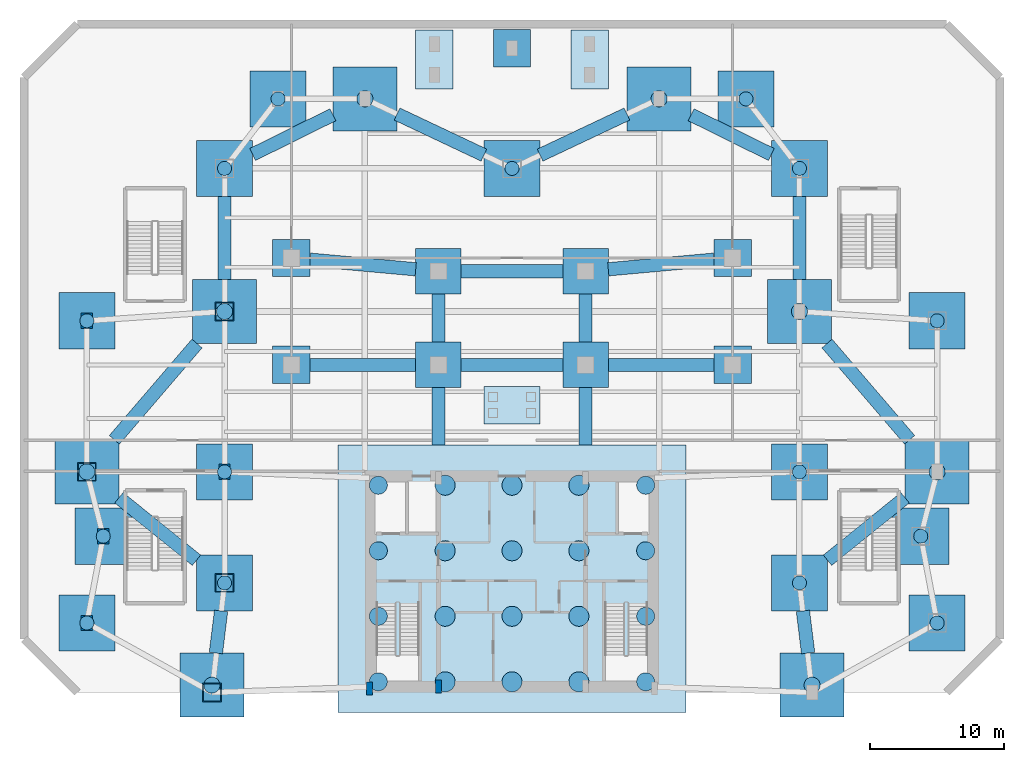
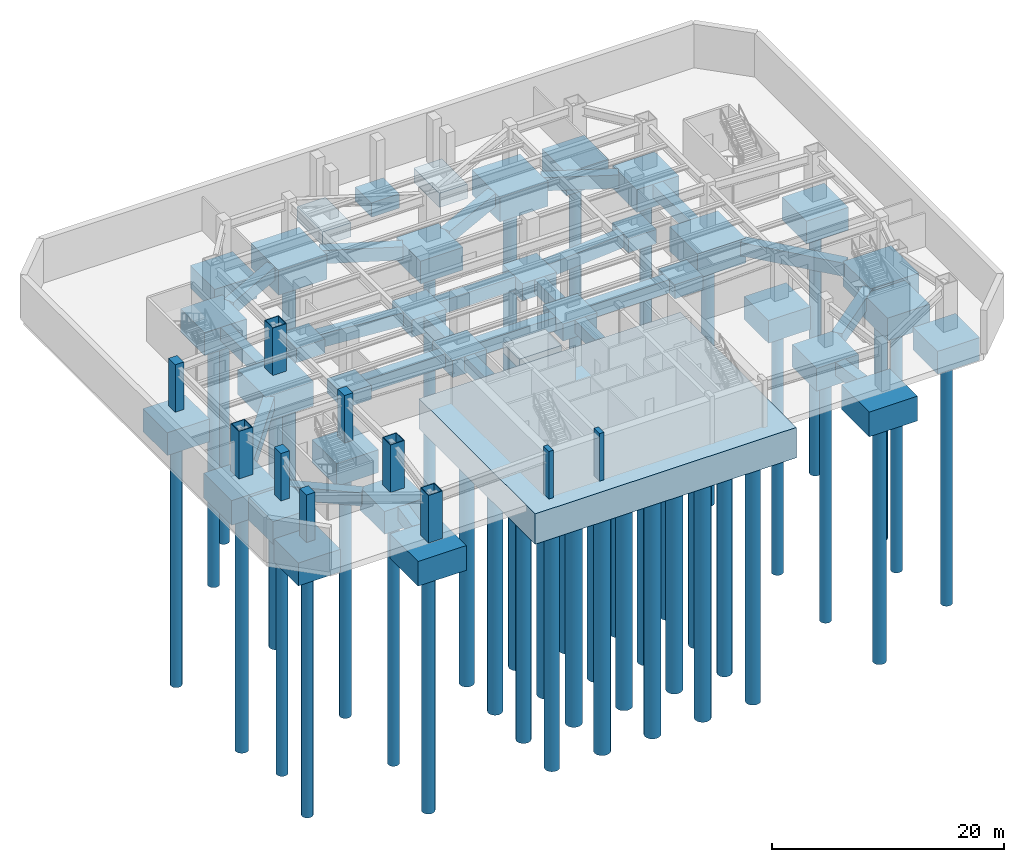
# One storey, part 1 of 7: 58 footings, 43 piles, 10 columns.
"""IFC4 building model written with IfcOpenShell, lengths in metres."""

from ifc_helpers import new_model, si_unit, direction, frame, origin, origin_2d, place, context, subcontext, project, spatial, polyline, rectangle, hollow_rectangle, circle, outline, extrude, source, transform, mapped, material, layer, layer_set, material_profile, profile_set, type_object, type_shapes, element, save


model = new_model("IFC4")

# Units and contexts
model_context = context("Model", 3, precision=1e-05, world=origin(), true_north=direction((0.0, 1.0)))
body_context = subcontext(model_context, "Body", "Model", "MODEL_VIEW")
ifc_project = project(units=[si_unit("LENGTHUNIT", "METRE"), si_unit("AREAUNIT", "SQUARE_METRE"), si_unit("VOLUMEUNIT", "CUBIC_METRE"), si_unit("PLANEANGLEUNIT", "RADIAN"), si_unit("MASSUNIT", "GRAM", prefix="KILO")], contexts=[model_context])

# Site, building, storey
site_placement = place(None, origin())
site = spatial("IfcSite", under=ifc_project, at=site_placement, CompositionType="ELEMENT")
building_placement = place(site_placement, origin())
building = spatial("IfcBuilding", under=site, at=building_placement, Name="Varnakhor Terracotta Tower", CompositionType="ELEMENT")
storey_placement = place(building_placement, frame((0.0, 0.0, -10.0)))
storey = spatial("IfcBuildingStorey", under=building, at=storey_placement, Name="B02", CompositionType="ELEMENT", Elevation=-10.0)

# Footing
ifc_material_1 = material(Name="Concrete C50/60", Category="concrete")
ifc_layer_1 = layer(ifc_material_1, 3.199951171875, Name="Concrete C50/60")
ifc_layer_set_1 = layer_set([ifc_layer_1], Name="Concrete C50/60")
footing_type_1 = type_object("IfcFootingType", Name="FTG-RAFT-CORE-3200", PredefinedType="PILE_CAP", material=ifc_layer_set_1)
footing_1_placement = place(storey_placement, frame((0.0, 0.0, -3.199951171875)))
element("IfcFooting", 1, at=footing_1_placement, inside=storey, type_object=footing_type_1, Name="Core Piled Raft Foundation", PredefinedType="PILE_CAP", context=body_context, shape_type="SweptSolid", body=[
    extrude(outline(polyline([(-13.0, -1.5), (13.0, -1.5), (13.0, 18.5), (-13.0, 18.5), (-13.0, -1.5)])), origin(), (0.0, 0.0, 1.0), 3.199951171875),
])

# Piles
ifc_material_2 = material(Name="Concrete C40/50", Category="concrete")
ifc_material_profile_1 = material_profile(ifc_material_2, circle(Radius=0.675048828125, at=origin_2d()), Name="BORED PILE D1350")
ifc_profile_set_1 = profile_set([ifc_material_profile_1], Name="Concrete C40/50")
pile_type_1 = type_object("IfcPileType", Name="PILE-BORED-1350", PredefinedType="BORED", material=ifc_profile_set_1)
shared_shape_1 = source(origin(), body_context, "Body", "SweptSolid", [
    extrude(circle(Radius=0.675048828125, at=origin_2d()), origin(), (0.0, 0.0, 1.0), 26.0),
])
type_shapes(pile_type_1, [shared_shape_1])
for number, where, z_axis, x_axis, name in (
    (2, (-10.0, 0.800048828125, -3.10009765625), (0.0, 0.0, -1.0), (1.0, 0.0, 0.0), "Core Raft Bored Pile 01"),
    (3, (-10.0, 5.699951171875, -3.10009765625), (0.0, 0.0, -1.0), (1.0, 0.0, 0.0), "Core Raft Bored Pile 02"),
    (4, (-10.0, 10.60009765625, -3.10009765625), (0.0, 0.0, -1.0), (1.0, 0.0, 0.0), "Core Raft Bored Pile 03"),
    (5, (-10.0, 15.5, -3.10009765625), (0.0, 0.0, -1.0), (1.0, 0.0, 0.0), "Core Raft Bored Pile 04"),
    (6, (10.0, 0.800048828125, -3.10009765625), (0.0, 0.0, -1.0), (1.0, 0.0, 0.0), "Core Raft Bored Pile 17"),
    (7, (10.0, 5.699951171875, -3.10009765625), (0.0, 0.0, -1.0), (1.0, 0.0, 0.0), "Core Raft Bored Pile 18"),
    (8, (10.0, 10.60009765625, -3.10009765625), (0.0, 0.0, -1.0), (1.0, 0.0, 0.0), "Core Raft Bored Pile 19"),
    (9, (10.0, 15.5, -3.10009765625), (0.0, 0.0, -1.0), (1.0, 0.0, 0.0), "Core Raft Bored Pile 20"),
):
    element("IfcPile", number, at=place(storey_placement, frame(where, z_axis=z_axis, x_axis=x_axis)), inside=storey, type_object=pile_type_1, Name=name, PredefinedType="BORED", context=body_context, shape_type="MappedRepresentation", body=[
        mapped(shared_shape_1, transform((0.0, 0.0, 0.0), scale=1.0)),
    ])
ifc_material_profile_2 = material_profile(ifc_material_2, circle(Radius=0.75, at=origin_2d()), Name="BORED PILE D1500")
ifc_profile_set_2 = profile_set([ifc_material_profile_2], Name="Concrete C40/50")
pile_type_2 = type_object("IfcPileType", Name="PILE-BORED-1500", PredefinedType="BORED", material=ifc_profile_set_2)
shared_shape_2 = source(origin(), body_context, "Body", "SweptSolid", [
    extrude(circle(Radius=0.75, at=origin_2d()), origin(), (0.0, 0.0, 1.0), 26.0),
])
type_shapes(pile_type_2, [shared_shape_2])
for number, where, z_axis, x_axis, name in (
    (10, (-5.0, 0.800048828125, -3.10009765625), (0.0, 0.0, -1.0), (1.0, 0.0, 0.0), "Core Raft Bored Pile 05"),
    (11, (-5.0, 5.699951171875, -3.10009765625), (0.0, 0.0, -1.0), (1.0, 0.0, 0.0), "Core Raft Bored Pile 06"),
    (12, (-5.0, 10.60009765625, -3.10009765625), (0.0, 0.0, -1.0), (1.0, 0.0, 0.0), "Core Raft Bored Pile 07"),
    (13, (-5.0, 15.5, -3.10009765625), (0.0, 0.0, -1.0), (1.0, 0.0, 0.0), "Core Raft Bored Pile 08"),
    (14, (0.0, 0.800048828125, -3.10009765625), (0.0, 0.0, -1.0), (1.0, 0.0, 0.0), "Core Raft Bored Pile 09"),
    (15, (0.0, 5.699951171875, -3.10009765625), (0.0, 0.0, -1.0), (1.0, 0.0, 0.0), "Core Raft Bored Pile 10"),
    (16, (0.0, 10.60009765625, -3.10009765625), (0.0, 0.0, -1.0), (1.0, 0.0, 0.0), "Core Raft Bored Pile 11"),
    (17, (0.0, 15.5, -3.10009765625), (0.0, 0.0, -1.0), (1.0, 0.0, 0.0), "Core Raft Bored Pile 12"),
    (18, (5.0, 0.800048828125, -3.10009765625), (0.0, 0.0, -1.0), (1.0, 0.0, 0.0), "Core Raft Bored Pile 13"),
    (19, (5.0, 5.699951171875, -3.10009765625), (0.0, 0.0, -1.0), (1.0, 0.0, 0.0), "Core Raft Bored Pile 14"),
    (20, (5.0, 10.60009765625, -3.10009765625), (0.0, 0.0, -1.0), (1.0, 0.0, 0.0), "Core Raft Bored Pile 15"),
    (21, (5.0, 15.5, -3.10009765625), (0.0, 0.0, -1.0), (1.0, 0.0, 0.0), "Core Raft Bored Pile 16"),
):
    element("IfcPile", number, at=place(storey_placement, frame(where, z_axis=z_axis, x_axis=x_axis)), inside=storey, type_object=pile_type_2, Name=name, PredefinedType="BORED", context=body_context, shape_type="MappedRepresentation", body=[
        mapped(shared_shape_2, transform((0.0, 0.0, 0.0), scale=1.0)),
    ])

# Footings
ifc_layer_2 = layer(ifc_material_2, 2.60009765625, Name="Concrete C40/50")
ifc_layer_set_2 = layer_set([ifc_layer_2], Name="Concrete C40/50")
footing_type_2 = type_object("IfcFootingType", Name="FTG-CAP-4800X4800", PredefinedType="PILE_CAP", material=ifc_layer_set_2)
shared_shape_3 = source(origin(), body_context, "Body", "SweptSolid", [
    extrude(rectangle(XDim=4.800048828125, YDim=4.800048828125, at=origin_2d()), origin(), (0.0, 0.0, 1.0), 2.60009765625),
])
type_shapes(footing_type_2, [shared_shape_3])
for number, where, z_axis, x_axis, name in (
    (22, (-22.446044921875, 0.550048828125, -3.25), (0.0, 0.0, 1.0), (1.0, 0.0, 0.0), "Pile Cap PC01"),
    (23, (22.446044921875, 0.550048828125, -3.25), (0.0, 0.0, 1.0), (1.0, 0.0, 0.0), "Pile Cap PC02"),
    (24, (-31.800048828125, 16.5, -3.25), (0.0, 0.0, 1.0), (1.0, 0.0, 0.0), "Pile Cap PC05"),
    (25, (31.800048828125, 16.5, -3.25), (0.0, 0.0, 1.0), (1.0, 0.0, 0.0), "Pile Cap PC06"),
    (26, (-21.5, 28.5, -3.25), (0.0, 0.0, 1.0), (1.0, 0.0, 0.0), "Pile Cap PC07"),
    (27, (21.5, 28.5, -3.25), (0.0, 0.0, 1.0), (1.0, 0.0, 0.0), "Pile Cap PC08"),
    (28, (-11.0, 44.39990234375, -3.25), (0.0, 0.0, 1.0), (1.0, 0.0, 0.0), "Pile Cap PC10"),
    (29, (11.0, 44.39990234375, -3.25), (0.0, 0.0, 1.0), (1.0, 0.0, 0.0), "Pile Cap PC12"),
):
    element("IfcFooting", number, at=place(storey_placement, frame(where, z_axis=z_axis, x_axis=x_axis)), inside=storey, type_object=footing_type_2, Name=name, PredefinedType="PILE_CAP", context=body_context, shape_type="MappedRepresentation", body=[
        mapped(shared_shape_3, transform((0.0, 0.0, 0.0), scale=1.0)),
    ])

# Piles
ifc_material_profile_3 = material_profile(ifc_material_2, circle(Radius=0.60009765625, at=origin_2d()), Name="BORED PILE D1200")
ifc_profile_set_3 = profile_set([ifc_material_profile_3], Name="Concrete C40/50")
pile_type_3 = type_object("IfcPileType", Name="PILE-BORED-1200", PredefinedType="BORED", material=ifc_profile_set_3)
shared_shape_4 = source(origin(), body_context, "Body", "SweptSolid", [
    extrude(circle(Radius=0.60009765625, at=origin_2d()), origin(), (0.0, 0.0, 1.0), 25.949951171875),
])
type_shapes(pile_type_3, [shared_shape_4])
for number, where, z_axis, x_axis, name in (
    (30, (-22.446044921875, 0.550048828125, -3.14990234375), (0.0, 0.0, -1.0), (1.0, 0.0, 0.0), "Cap PC01 Bored Pile"),
    (31, (22.446044921875, 0.550048828125, -3.14990234375), (0.0, 0.0, -1.0), (1.0, 0.0, 0.0), "Cap PC02 Bored Pile"),
    (32, (-31.800048828125, 16.5, -3.14990234375), (0.0, 0.0, -1.0), (1.0, 0.0, 0.0), "Cap PC05 Bored Pile"),
    (33, (31.800048828125, 16.5, -3.14990234375), (0.0, 0.0, -1.0), (1.0, 0.0, 0.0), "Cap PC06 Bored Pile"),
    (34, (-21.5, 28.5, -3.14990234375), (0.0, 0.0, -1.0), (1.0, 0.0, 0.0), "Cap PC07 Bored Pile"),
    (35, (21.5, 28.5, -3.14990234375), (0.0, 0.0, -1.0), (1.0, 0.0, 0.0), "Cap PC08 Bored Pile"),
    (36, (-11.0, 44.39990234375, -3.14990234375), (0.0, 0.0, -1.0), (1.0, 0.0, 0.0), "Cap PC10 Bored Pile"),
    (37, (11.0, 44.39990234375, -3.14990234375), (0.0, 0.0, -1.0), (1.0, 0.0, 0.0), "Cap PC12 Bored Pile"),
):
    element("IfcPile", number, at=place(storey_placement, frame(where, z_axis=z_axis, x_axis=x_axis)), inside=storey, type_object=pile_type_3, Name=name, PredefinedType="BORED", context=body_context, shape_type="MappedRepresentation", body=[
        mapped(shared_shape_4, transform((0.0, 0.0, 0.0), scale=1.0)),
    ])

# Footings
ifc_layer_3 = layer(ifc_material_2, 2.39990234375, Name="Concrete C40/50")
ifc_layer_set_3 = layer_set([ifc_layer_3], Name="Concrete C40/50")
footing_type_3 = type_object("IfcFootingType", Name="FTG-CAP-4200X4200", PredefinedType="PILE_CAP", material=ifc_layer_set_3)
shared_shape_5 = source(origin(), body_context, "Body", "SweptSolid", [
    extrude(rectangle(XDim=4.199951171875, YDim=4.199951171875, at=origin_2d()), origin(), (0.0, 0.0, 1.0), 2.39990234375),
])
type_shapes(footing_type_3, [shared_shape_5])
for number, where, z_axis, x_axis, name in (
    (38, (-21.5, 8.199951171875, -3.050048828125), (0.0, 0.0, 1.0), (1.0, 0.0, 0.0), "Pile Cap PC03"),
    (39, (21.5, 8.199951171875, -3.050048828125), (0.0, 0.0, 1.0), (1.0, 0.0, 0.0), "Pile Cap PC04"),
    (40, (-21.5, 39.199951171875, -3.050048828125), (0.0, 0.0, 1.0), (1.0, 0.0, 0.0), "Pile Cap PC09"),
    (41, (0.0, 39.199951171875, -3.050048828125), (0.0, 0.0, 1.0), (1.0, 0.0, 0.0), "Pile Cap PC11"),
    (42, (21.5, 39.199951171875, -3.050048828125), (0.0, 0.0, 1.0), (1.0, 0.0, 0.0), "Pile Cap PC13"),
    (43, (-21.5, 16.5, -3.050048828125), (0.0, 0.0, 1.0), (1.0, 0.0, 0.0), "Pile Cap PC14"),
    (44, (21.5, 16.5, -3.050048828125), (0.0, 0.0, 1.0), (1.0, 0.0, 0.0), "Pile Cap PC15"),
    (45, (-31.800048828125, 5.199951171875, -3.050048828125), (0.0, 0.0, 1.0), (1.0, 0.0, 0.0), "Pile Cap PC16"),
    (46, (31.800048828125, 5.199951171875, -3.050048828125), (0.0, 0.0, 1.0), (1.0, 0.0, 0.0), "Pile Cap PC17"),
    (47, (-31.800048828125, 27.800048828125, -3.050048828125), (0.0, 0.0, 1.0), (1.0, 0.0, 0.0), "Pile Cap PC18"),
    (48, (31.800048828125, 27.800048828125, -3.050048828125), (0.0, 0.0, 1.0), (1.0, 0.0, 0.0), "Pile Cap PC19"),
    (49, (-17.5, 44.39990234375, -3.050048828125), (0.0, 0.0, 1.0), (1.0, 0.0, 0.0), "Pile Cap PC20"),
    (50, (17.5, 44.39990234375, -3.050048828125), (0.0, 0.0, 1.0), (1.0, 0.0, 0.0), "Pile Cap PC21"),
):
    element("IfcFooting", number, at=place(storey_placement, frame(where, z_axis=z_axis, x_axis=x_axis)), inside=storey, type_object=footing_type_3, Name=name, PredefinedType="PILE_CAP", context=body_context, shape_type="MappedRepresentation", body=[
        mapped(shared_shape_5, transform((0.0, 0.0, 0.0), scale=1.0)),
    ])

# Piles
ifc_material_profile_4 = material_profile(ifc_material_2, circle(Radius=0.52490234375, at=origin_2d()), Name="BORED PILE D1050")
ifc_profile_set_4 = profile_set([ifc_material_profile_4], Name="Concrete C40/50")
pile_type_4 = type_object("IfcPileType", Name="PILE-BORED-1050", PredefinedType="BORED", material=ifc_profile_set_4)
shared_shape_6 = source(origin(), body_context, "Body", "SweptSolid", [
    extrude(circle(Radius=0.52490234375, at=origin_2d()), origin(), (0.0, 0.0, 1.0), 26.14990234375),
])
type_shapes(pile_type_4, [shared_shape_6])
for number, where, z_axis, x_axis, name in (
    (51, (-21.5, 8.199951171875, -2.949951171875), (0.0, 0.0, -1.0), (1.0, 0.0, 0.0), "Cap PC03 Bored Pile"),
    (52, (21.5, 8.199951171875, -2.949951171875), (0.0, 0.0, -1.0), (1.0, 0.0, 0.0), "Cap PC04 Bored Pile"),
    (53, (-21.5, 39.199951171875, -2.949951171875), (0.0, 0.0, -1.0), (1.0, 0.0, 0.0), "Cap PC09 Bored Pile"),
    (54, (0.0, 39.199951171875, -2.949951171875), (0.0, 0.0, -1.0), (1.0, 0.0, 0.0), "Cap PC11 Bored Pile"),
    (55, (21.5, 39.199951171875, -2.949951171875), (0.0, 0.0, -1.0), (1.0, 0.0, 0.0), "Cap PC13 Bored Pile"),
    (56, (-21.5, 16.5, -2.949951171875), (0.0, 0.0, -1.0), (1.0, 0.0, 0.0), "Cap PC14 Bored Pile"),
    (57, (21.5, 16.5, -2.949951171875), (0.0, 0.0, -1.0), (1.0, 0.0, 0.0), "Cap PC15 Bored Pile"),
    (58, (-31.800048828125, 5.199951171875, -2.949951171875), (0.0, 0.0, -1.0), (1.0, 0.0, 0.0), "Cap PC16 Bored Pile"),
    (59, (31.800048828125, 5.199951171875, -2.949951171875), (0.0, 0.0, -1.0), (1.0, 0.0, 0.0), "Cap PC17 Bored Pile"),
    (60, (-31.800048828125, 27.800048828125, -2.949951171875), (0.0, 0.0, -1.0), (1.0, 0.0, 0.0), "Cap PC18 Bored Pile"),
    (61, (31.800048828125, 27.800048828125, -2.949951171875), (0.0, 0.0, -1.0), (1.0, 0.0, 0.0), "Cap PC19 Bored Pile"),
    (62, (-17.5, 44.39990234375, -2.949951171875), (0.0, 0.0, -1.0), (1.0, 0.0, 0.0), "Cap PC20 Bored Pile"),
    (63, (17.5, 44.39990234375, -2.949951171875), (0.0, 0.0, -1.0), (1.0, 0.0, 0.0), "Cap PC21 Bored Pile"),
    (64, (-30.572998046875, 11.68701171875, -2.949951171875), (0.0, 0.0, -1.0), (1.0, 0.0, 0.0), "Cap PC22 Bored Pile"),
    (65, (30.572998046875, 11.68701171875, -2.949951171875), (0.0, 0.0, -1.0), (1.0, 0.0, 0.0), "Cap PC23 Bored Pile"),
):
    element("IfcPile", number, at=place(storey_placement, frame(where, z_axis=z_axis, x_axis=x_axis)), inside=storey, type_object=pile_type_4, Name=name, PredefinedType="BORED", context=body_context, shape_type="MappedRepresentation", body=[
        mapped(shared_shape_6, transform((0.0, 0.0, 0.0), scale=1.0)),
    ])

# Footings
ifc_layer_4 = layer(ifc_material_2, 1.800048828125, Name="Concrete C40/50")
ifc_layer_set_4 = layer_set([ifc_layer_4], Name="Concrete C40/50")
footing_type_4 = type_object("IfcFootingType", Name="FTG-PAD-3400X3400", PredefinedType="PAD_FOOTING", material=ifc_layer_set_4)
shared_shape_7 = source(origin(), body_context, "Body", "SweptSolid", [
    extrude(rectangle(XDim=4.199951171875, YDim=4.199951171875, at=origin_2d()), origin(), (0.0, 0.0, 1.0), 2.39990234375),
])
type_shapes(footing_type_4, [shared_shape_7])
for number, where, z_axis, x_axis, name in (
    (66, (-30.572998046875, 11.68701171875, -3.050048828125), (0.0, 0.0, 1.0), (1.0, 0.0, 0.0), "Pile Cap PC22"),
    (67, (30.572998046875, 11.68701171875, -3.050048828125), (0.0, 0.0, 1.0), (1.0, 0.0, 0.0), "Pile Cap PC23"),
):
    element("IfcFooting", number, at=place(storey_placement, frame(where, z_axis=z_axis, x_axis=x_axis)), inside=storey, type_object=footing_type_4, Name=name, PredefinedType="PAD_FOOTING", context=body_context, shape_type="MappedRepresentation", body=[
        mapped(shared_shape_7, transform((0.0, 0.0, 0.0), scale=1.0)),
    ])
shared_shape_8 = source(origin(), body_context, "Body", "SweptSolid", [
    extrude(rectangle(XDim=4.199951171875, YDim=2.800048828125, at=origin_2d()), origin(), (0.0, 0.0, 1.0), 1.0),
])
footing_2_placement = place(storey_placement, frame((0.0, 21.5, -1.64990234375), z_axis=(0.0, 0.0, 1.0), x_axis=(1.0, 0.0, 0.0)))
element("IfcFooting", 68, at=footing_2_placement, inside=storey, type_object=footing_type_4, Name="Feature Stair ST-F1 Landing Pad Footing", PredefinedType="PAD_FOOTING", context=body_context, shape_type="MappedRepresentation", body=[
    mapped(shared_shape_8, transform((0.0, 0.0, 0.0), scale=1.0)),
])
ifc_layer_5 = layer(ifc_material_2, 1.5, Name="Concrete C40/50")
ifc_layer_set_5 = layer_set([ifc_layer_5], Name="Concrete C40/50")
footing_type_5 = type_object("IfcFootingType", Name="FTG-PAD-2800X2800", PredefinedType="PAD_FOOTING", material=ifc_layer_set_5)
shared_shape_9 = source(origin(), body_context, "Body", "SweptSolid", [
    extrude(rectangle(XDim=2.800048828125, YDim=4.39990234375, at=origin_2d()), origin(), (0.0, 0.0, 1.0), 1.5),
])
type_shapes(footing_type_5, [shared_shape_9])
for number, where, z_axis, x_axis, name in (
    (69, (-5.800048828125, 47.35009765625, -2.14990234375), (0.0, 0.0, 1.0), (1.0, 0.0, 0.0), "North Terrace Column Pad Footing 1"),
    (70, (5.800048828125, 47.35009765625, -2.14990234375), (0.0, 0.0, 1.0), (1.0, 0.0, 0.0), "North Terrace Column Pad Footing 2"),
):
    element("IfcFooting", number, at=place(storey_placement, frame(where, z_axis=z_axis, x_axis=x_axis)), inside=storey, type_object=footing_type_5, Name=name, PredefinedType="PAD_FOOTING", context=body_context, shape_type="MappedRepresentation", body=[
        mapped(shared_shape_9, transform((0.0, 0.0, 0.0), scale=1.0)),
    ])
shared_shape_10 = source(origin(), body_context, "Body", "SweptSolid", [
    extrude(rectangle(XDim=2.800048828125, YDim=2.800048828125, at=origin_2d()), origin(), (0.0, 0.0, 1.0), 1.5),
])
for number, where, z_axis, x_axis, name in (
    (71, (0.0, 48.199951171875, -2.14990234375), (0.0, 0.0, 1.0), (1.0, 0.0, 0.0), "North Terrace Column Pad Footing 3"),
    (72, (-16.5, 24.5, -2.14990234375), (0.0, 0.0, 1.0), (1.0, 0.0, 0.0), "Pad Footing BC05"),
    (73, (16.5, 24.5, -2.14990234375), (0.0, 0.0, 1.0), (1.0, 0.0, 0.0), "Pad Footing BC06"),
    (74, (-16.5, 32.5, -2.14990234375), (0.0, 0.0, 1.0), (1.0, 0.0, 0.0), "Pad Footing BC07"),
    (75, (16.5, 32.5, -2.14990234375), (0.0, 0.0, 1.0), (1.0, 0.0, 0.0), "Pad Footing BC08"),
):
    element("IfcFooting", number, at=place(storey_placement, frame(where, z_axis=z_axis, x_axis=x_axis)), inside=storey, type_object=footing_type_5, Name=name, PredefinedType="PAD_FOOTING", context=body_context, shape_type="MappedRepresentation", body=[
        mapped(shared_shape_10, transform((0.0, 0.0, 0.0), scale=1.0)),
    ])
shared_shape_11 = source(origin(), body_context, "Body", "SweptSolid", [
    extrude(rectangle(XDim=3.39990234375, YDim=3.39990234375, at=origin_2d()), origin(), (0.0, 0.0, 1.0), 1.800048828125),
])
for number, where, z_axis, x_axis, name in (
    (76, (-5.5, 24.5, -2.4501953125), (0.0, 0.0, 1.0), (1.0, 0.0, 0.0), "Pad Footing BC01"),
    (77, (5.5, 24.5, -2.4501953125), (0.0, 0.0, 1.0), (1.0, 0.0, 0.0), "Pad Footing BC02"),
    (78, (-5.5, 31.5, -2.4501953125), (0.0, 0.0, 1.0), (1.0, 0.0, 0.0), "Pad Footing BC03"),
    (79, (5.5, 31.5, -2.4501953125), (0.0, 0.0, 1.0), (1.0, 0.0, 0.0), "Pad Footing BC04"),
):
    element("IfcFooting", number, at=place(storey_placement, frame(where, z_axis=z_axis, x_axis=x_axis)), inside=storey, type_object=footing_type_4, Name=name, PredefinedType="PAD_FOOTING", context=body_context, shape_type="MappedRepresentation", body=[
        mapped(shared_shape_11, transform((0.0, 0.0, 0.0), scale=1.0)),
    ])
ifc_material_profile_5 = material_profile(ifc_material_2, rectangle(XDim=1.0, YDim=1.39990234375, at=origin_2d()), Name="TIE BEAM 1000x1400")
ifc_profile_set_5 = profile_set([ifc_material_profile_5], Name="Concrete C40/50")
footing_type_6 = type_object("IfcFootingType", Name="FTG-BEAM-1000X1400", PredefinedType="FOOTING_BEAM", material=ifc_profile_set_5)
shared_shape_12 = source(origin(), body_context, "Body", "SweptSolid", [
    extrude(rectangle(XDim=1.0, YDim=1.39990234375, at=origin_2d()), origin(), (0.0, 0.0, 1.0), 3.174072265625),
])
type_shapes(footing_type_6, [shared_shape_12])
for number, where, z_axis, x_axis, name in (
    (80, (-22.149169921875, 2.949951171875, -1.35009765625), (0.122680898899, 0.992446168336, 0.0), (-0.992446168336, 0.122680898899, 0.0), "Foundation Tie Beam 01"),
    (81, (22.149169921875, 2.949951171875, -1.35009765625), (-0.122680898899, 0.992446168336, 0.0), (-0.992446168336, -0.122680898899, 0.0), "Foundation Tie Beam 09"),
):
    element("IfcFooting", number, at=place(storey_placement, frame(where, z_axis=z_axis, x_axis=x_axis)), inside=storey, type_object=footing_type_6, Name=name, PredefinedType="FOOTING_BEAM", context=body_context, shape_type="MappedRepresentation", body=[
        mapped(shared_shape_12, transform((0.0, 0.0, 0.0), scale=1.0)),
    ])
shared_shape_13 = source(origin(), body_context, "Body", "SweptSolid", [
    extrude(rectangle(XDim=1.0, YDim=1.39990234375, at=origin_2d()), origin(), (0.0, 0.0, 1.0), 7.44873046875),
])
for number, where, z_axis, x_axis, name in (
    (82, (-23.60009765625, 9.89208984375, -1.35009765625), (-0.778638250217, 0.627473087311, 0.0), (-0.627473087311, -0.778638250217, 0.0), "Foundation Tie Beam 02"),
    (83, (23.60009765625, 9.89208984375, -1.35009765625), (0.778638250217, 0.627473087311, 0.0), (-0.627473087311, 0.778638250217, 0.0), "Foundation Tie Beam 10"),
):
    element("IfcFooting", number, at=place(storey_placement, frame(where, z_axis=z_axis, x_axis=x_axis)), inside=storey, type_object=footing_type_6, Name=name, PredefinedType="FOOTING_BEAM", context=body_context, shape_type="MappedRepresentation", body=[
        mapped(shared_shape_13, transform((0.0, 0.0, 0.0), scale=1.0)),
    ])
shared_shape_14 = source(origin(), body_context, "Body", "SweptSolid", [
    extrude(rectangle(XDim=1.0, YDim=1.39990234375, at=origin_2d()), origin(), (0.0, 0.0, 1.0), 9.488525390625),
])
for number, where, z_axis, x_axis, name in (
    (84, (-29.739990234375, 18.89990234375, -1.35009765625), (0.651297651093, 0.75882235713, 0.0), (-0.75882235713, 0.651297651093, 0.0), "Foundation Tie Beam 03"),
    (85, (29.739990234375, 18.89990234375, -1.35009765625), (-0.651297651093, 0.75882235713, 0.0), (-0.75882235713, -0.651297651093, 0.0), "Foundation Tie Beam 11"),
):
    element("IfcFooting", number, at=place(storey_placement, frame(where, z_axis=z_axis, x_axis=x_axis)), inside=storey, type_object=footing_type_6, Name=name, PredefinedType="FOOTING_BEAM", context=body_context, shape_type="MappedRepresentation", body=[
        mapped(shared_shape_14, transform((0.0, 0.0, 0.0), scale=1.0)),
    ])
shared_shape_15 = source(origin(), body_context, "Body", "SweptSolid", [
    extrude(rectangle(XDim=1.0, YDim=1.39990234375, at=origin_2d()), origin(), (0.0, 0.0, 1.0), 6.2001953125),
])
for number, where, z_axis, x_axis, name in (
    (86, (-21.5, 30.89990234375, -1.35009765625), (0.0, 1.0, 0.0), (-1.0, 0.0, 0.0), "Foundation Tie Beam 04"),
    (87, (21.5, 30.89990234375, -1.35009765625), (0.0, 1.0, 0.0), (-1.0, 0.0, 0.0), "Foundation Tie Beam 12"),
):
    element("IfcFooting", number, at=place(storey_placement, frame(where, z_axis=z_axis, x_axis=x_axis)), inside=storey, type_object=footing_type_6, Name=name, PredefinedType="FOOTING_BEAM", context=body_context, shape_type="MappedRepresentation", body=[
        mapped(shared_shape_15, transform((0.0, 0.0, 0.0), scale=1.0)),
    ])
shared_shape_16 = source(origin(), body_context, "Body", "SweptSolid", [
    extrude(rectangle(XDim=1.0, YDim=1.39990234375, at=origin_2d()), origin(), (0.0, 0.0, 1.0), 6.695556640625),
])
for number, where, z_axis, x_axis, name in (
    (88, (-19.39990234375, 40.239990234375, -1.35009765625), (0.89612717146, 0.4437973553, 0.0), (-0.4437973553, 0.89612717146, 0.0), "Foundation Tie Beam 05"),
    (89, (13.39990234375, 43.21142578125, -1.35009765625), (0.89612717146, -0.4437973553, 0.0), (0.4437973553, 0.89612717146, 0.0), "Foundation Tie Beam 08"),
):
    element("IfcFooting", number, at=place(storey_placement, frame(where, z_axis=z_axis, x_axis=x_axis)), inside=storey, type_object=footing_type_6, Name=name, PredefinedType="FOOTING_BEAM", context=body_context, shape_type="MappedRepresentation", body=[
        mapped(shared_shape_16, transform((0.0, 0.0, 0.0), scale=1.0)),
    ])
shared_shape_17 = source(origin(), body_context, "Body", "SweptSolid", [
    extrude(rectangle(XDim=1.0, YDim=1.39990234375, at=origin_2d()), origin(), (0.0, 0.0, 1.0), 7.189697265625),
])
for number, where, z_axis, x_axis, name in (
    (90, (-8.60009765625, 43.265380859375, -1.35009765625), (0.904070835187, -0.427382644669, 0.0), (0.427382644669, 0.904070835187, 0.0), "Foundation Tie Beam 06"),
    (91, (2.10009765625, 40.192626953125, -1.35009765625), (0.904070835187, 0.427382644669, 0.0), (-0.427382644669, 0.904070835187, 0.0), "Foundation Tie Beam 07"),
):
    element("IfcFooting", number, at=place(storey_placement, frame(where, z_axis=z_axis, x_axis=x_axis)), inside=storey, type_object=footing_type_6, Name=name, PredefinedType="FOOTING_BEAM", context=body_context, shape_type="MappedRepresentation", body=[
        mapped(shared_shape_17, transform((0.0, 0.0, 0.0), scale=1.0)),
    ])
shared_shape_18 = source(origin(), body_context, "Body", "SweptSolid", [
    extrude(rectangle(XDim=1.0, YDim=1.39990234375, at=origin_2d()), origin(), (0.0, 0.0, 1.0), 7.60009765625),
])
for number, where, z_axis, x_axis, name in (
    (92, (-3.800048828125, 24.5, -1.35009765625), (1.0, 0.0, 0.0), (0.0, 1.0, 0.0), "Foundation Tie Beam 13"),
    (93, (-3.800048828125, 31.5, -1.35009765625), (1.0, 0.0, 0.0), (0.0, 1.0, 0.0), "Foundation Tie Beam 14"),
):
    element("IfcFooting", number, at=place(storey_placement, frame(where, z_axis=z_axis, x_axis=x_axis)), inside=storey, type_object=footing_type_6, Name=name, PredefinedType="FOOTING_BEAM", context=body_context, shape_type="MappedRepresentation", body=[
        mapped(shared_shape_18, transform((0.0, 0.0, 0.0), scale=1.0)),
    ])
shared_shape_19 = source(origin(), body_context, "Body", "SweptSolid", [
    extrude(rectangle(XDim=1.0, YDim=1.39990234375, at=origin_2d()), origin(), (0.0, 0.0, 1.0), 3.60009765625),
])
for number, where, z_axis, x_axis, name in (
    (94, (-5.5, 26.199951171875, -1.35009765625), (0.0, 1.0, 0.0), (-1.0, 0.0, 0.0), "Foundation Tie Beam 15"),
    (95, (5.5, 26.199951171875, -1.35009765625), (0.0, 1.0, 0.0), (-1.0, 0.0, 0.0), "Foundation Tie Beam 16"),
):
    element("IfcFooting", number, at=place(storey_placement, frame(where, z_axis=z_axis, x_axis=x_axis)), inside=storey, type_object=footing_type_6, Name=name, PredefinedType="FOOTING_BEAM", context=body_context, shape_type="MappedRepresentation", body=[
        mapped(shared_shape_19, transform((0.0, 0.0, 0.0), scale=1.0)),
    ])
shared_shape_20 = source(origin(), body_context, "Body", "SweptSolid", [
    extrude(rectangle(XDim=1.0, YDim=1.39990234375, at=origin_2d()), origin(), (0.0, 0.0, 1.0), 7.900146484375),
])
for number, where, z_axis, x_axis, name in (
    (96, (-15.10009765625, 24.5, -1.35009765625), (1.0, 0.0, 0.0), (0.0, 1.0, 0.0), "Foundation Tie Beam 17"),
    (97, (7.199951171875, 24.5, -1.35009765625), (1.0, 0.0, 0.0), (0.0, 1.0, 0.0), "Foundation Tie Beam 18"),
):
    element("IfcFooting", number, at=place(storey_placement, frame(where, z_axis=z_axis, x_axis=x_axis)), inside=storey, type_object=footing_type_6, Name=name, PredefinedType="FOOTING_BEAM", context=body_context, shape_type="MappedRepresentation", body=[
        mapped(shared_shape_20, transform((0.0, 0.0, 0.0), scale=1.0)),
    ])
shared_shape_21 = source(origin(), body_context, "Body", "SweptSolid", [
    extrude(rectangle(XDim=1.0, YDim=1.39990234375, at=origin_2d()), origin(), (0.0, 0.0, 1.0), 7.9326171875),
])
for number, where, z_axis, x_axis, name in (
    (98, (-15.10009765625, 32.372802734375, -1.35009765625), (0.995892449637, -0.090544070794, 0.0), (0.090544070794, 0.995892449637, 0.0), "Foundation Tie Beam 19"),
    (99, (7.199951171875, 31.654541015625, -1.35009765625), (0.995892449637, 0.090544070794, 0.0), (-0.090544070794, 0.995892449637, 0.0), "Foundation Tie Beam 20"),
):
    element("IfcFooting", number, at=place(storey_placement, frame(where, z_axis=z_axis, x_axis=x_axis)), inside=storey, type_object=footing_type_6, Name=name, PredefinedType="FOOTING_BEAM", context=body_context, shape_type="MappedRepresentation", body=[
        mapped(shared_shape_21, transform((0.0, 0.0, 0.0), scale=1.0)),
    ])
shared_shape_22 = source(origin(), body_context, "Body", "SweptSolid", [
    extrude(rectangle(XDim=1.0, YDim=1.39990234375, at=origin_2d()), origin(), (0.0, 0.0, 1.0), 4.300048828125),
])
for number, where, z_axis, x_axis, name in (
    (100, (-5.5, 18.5, -1.35009765625), (0.0, 1.0, 0.0), (-1.0, 0.0, 0.0), "Foundation Core Tie Beam 25"),
    (101, (5.5, 18.5, -1.35009765625), (0.0, 1.0, 0.0), (-1.0, 0.0, 0.0), "Foundation Core Tie Beam 26"),
):
    element("IfcFooting", number, at=place(storey_placement, frame(where, z_axis=z_axis, x_axis=x_axis)), inside=storey, type_object=footing_type_6, Name=name, PredefinedType="FOOTING_BEAM", context=body_context, shape_type="MappedRepresentation", body=[
        mapped(shared_shape_22, transform((0.0, 0.0, 0.0), scale=1.0)),
    ])

# Columns
ifc_material_profile_6 = material_profile(ifc_material_1, rectangle(XDim=0.449951171875, YDim=0.949951171875, at=origin_2d()), Name="RC PILASTER 950x450")
ifc_profile_set_6 = profile_set([ifc_material_profile_6], Name="Concrete C50/60")
column_type_1 = type_object("IfcColumnType", Name="COL-PIL-950x450", PredefinedType="PILASTER", material=ifc_profile_set_6)
shared_shape_23 = source(origin(), body_context, "Body", "SweptSolid", [
    extrude(rectangle(XDim=0.449951171875, YDim=0.949951171875, at=origin_2d()), origin(), (0.0, 0.0, 1.0), 5.0),
])
type_shapes(column_type_1, [shared_shape_23])
for number, where, z_axis, x_axis, name in (
    (102, (-10.64990234375, 0.300048828125, 0.0), (0.0, 0.0, 1.0), (1.0, 0.0, 0.0), "B02 Core Pilaster CP1"),
    (103, (-5.5, 0.449951171875, 0.0), (0.0, 0.0, 1.0), (1.0, 0.0, 0.0), "B02 Core Pilaster CP2"),
):
    element("IfcColumn", number, at=place(storey_placement, frame(where, z_axis=z_axis, x_axis=x_axis)), inside=storey, type_object=column_type_1, Name=name, PredefinedType="PILASTER", context=body_context, shape_type="MappedRepresentation", body=[
        mapped(shared_shape_23, transform((0.0, 0.0, 0.0), scale=1.0)),
    ])
ifc_material_3 = material(Name="Concrete C60/75", Category="concrete")
ifc_material_profile_7 = material_profile(ifc_material_3, rectangle(XDim=0.85009765625, YDim=1.14990234375, at=origin_2d()), Name="RC 1150x850")
ifc_profile_set_7 = profile_set([ifc_material_profile_7], Name="Concrete C60/75")
column_type_2 = type_object("IfcColumnType", Name="COL-RC-1150x850", PredefinedType="COLUMN", material=ifc_profile_set_7)
shared_shape_24 = source(origin(), body_context, "Body", "SweptSolid", [
    extrude(rectangle(XDim=0.85009765625, YDim=1.14990234375, at=origin_2d()), origin(), (0.0, 0.0, 1.0), 5.0),
])
type_shapes(column_type_2, [shared_shape_24])
for number, where, z_axis, x_axis, name in (
    (104, (-21.5, 16.5, 0.0), (0.0, 0.0, 1.0), (1.0, 0.0, 0.0), "B02 Podium Column PC14"),
    (105, (-31.800048828125, 5.199951171875, 0.0), (0.0, 0.0, 1.0), (1.0, 0.0, 0.0), "B02 Podium Column PC16"),
    (106, (-31.800048828125, 27.800048828125, 0.0), (0.0, 0.0, 1.0), (1.0, 0.0, 0.0), "B02 Podium Column PC18"),
    (107, (-30.572998046875, 11.68701171875, 0.0), (0.0, 0.0, 1.0), (1.0, 0.0, 0.0), "B02 Podium Column PC22"),
):
    element("IfcColumn", number, at=place(storey_placement, frame(where, z_axis=z_axis, x_axis=x_axis)), inside=storey, type_object=column_type_2, Name=name, PredefinedType="COLUMN", context=body_context, shape_type="MappedRepresentation", body=[
        mapped(shared_shape_24, transform((0.0, 0.0, 0.0), scale=1.0)),
    ])
ifc_material_4 = material(Name="Steel S460", Category="steel")
ifc_material_profile_8 = material_profile(ifc_material_4, hollow_rectangle(XDim=1.39990234375, YDim=1.39990234375, WallThickness=0.070068359375, at=origin_2d()), Name="BOX 1400x1400x70")
ifc_profile_set_8 = profile_set([ifc_material_profile_8], Name="Steel S460")
column_type_3 = type_object("IfcColumnType", Name="COL-MEGA-1400", PredefinedType="COLUMN", material=ifc_profile_set_8)
shared_shape_25 = source(origin(), body_context, "Body", "SweptSolid", [
    extrude(hollow_rectangle(XDim=1.39990234375, YDim=1.39990234375, WallThickness=0.070068359375, at=origin_2d()), origin(), (0.0, 0.0, 1.0), 5.0),
])
type_shapes(column_type_3, [shared_shape_25])
for number, where, z_axis, x_axis, name in (
    (108, (-22.446044921875, 0.0, 0.0), (0.0, 0.0, 1.0), (1.0, 0.0, 0.0), "B02 Podium Column PC01"),
    (109, (-21.5, 8.199951171875, 0.0), (0.0, 0.0, 1.0), (1.0, 0.0, 0.0), "B02 Podium Column PC03"),
    (110, (-31.800048828125, 16.5, 0.0), (0.0, 0.0, 1.0), (1.0, 0.0, 0.0), "B02 Podium Column PC05"),
    (111, (-21.5, 28.5, 0.0), (0.0, 0.0, 1.0), (1.0, 0.0, 0.0), "B02 Podium Column PC07"),
):
    element("IfcColumn", number, at=place(storey_placement, frame(where, z_axis=z_axis, x_axis=x_axis)), inside=storey, type_object=column_type_3, Name=name, PredefinedType="COLUMN", context=body_context, shape_type="MappedRepresentation", body=[
        mapped(shared_shape_25, transform((0.0, 0.0, 0.0), scale=1.0)),
    ])

save(model, "model.ifc")
